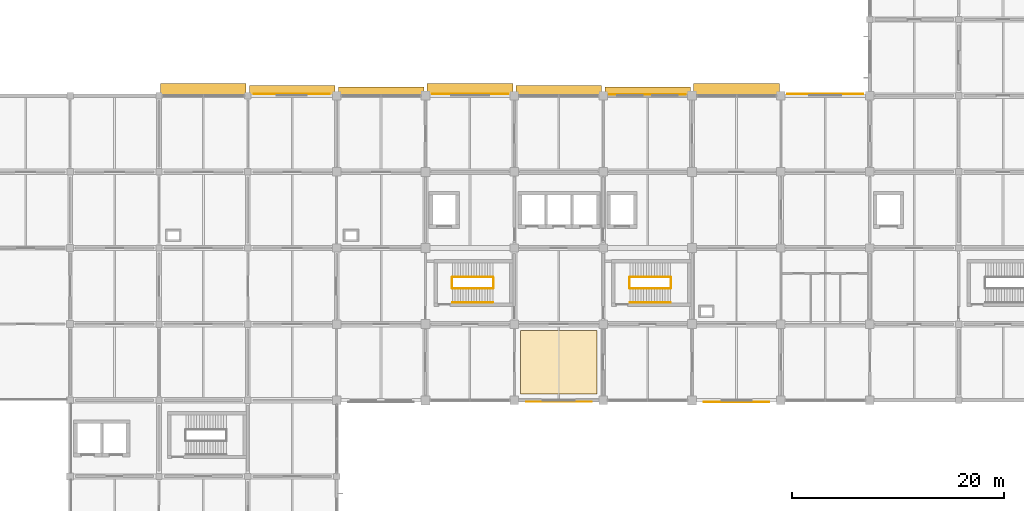
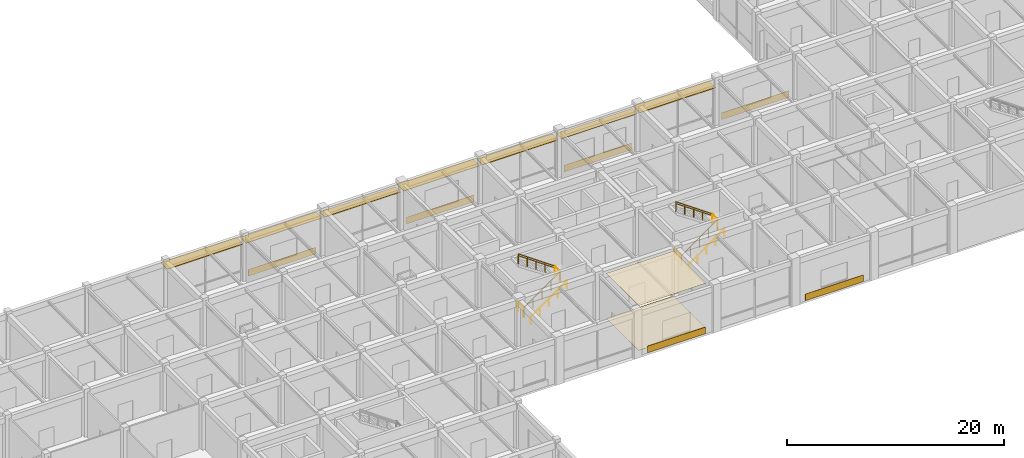
# One storey, part 36 of 38: 12 railings, 8 coverings, 7 shading devices.
"""IFC4 building model written with IfcOpenShell, lengths in metres."""

from ifc_helpers import new_model, si_unit, derived_unit, direction, frame, origin, origin_2d, place, context, subcontext, project, spatial, polyline, rectangle, circle, outline, extrude, material, layer, layer_set, type_object, element, save


model = new_model("IFC4")

# Units and contexts
model_context = context("Model", 3, precision=1e-05, world=origin(), true_north=direction((0.0, 1.0)))
body_context = subcontext(model_context, "Body", "Model", "MODEL_VIEW")
ifc_project = project(units=[si_unit("LENGTHUNIT", "METRE"), si_unit("AREAUNIT", "SQUARE_METRE"), si_unit("VOLUMEUNIT", "CUBIC_METRE"), si_unit("PLANEANGLEUNIT", "RADIAN"), si_unit("MASSUNIT", "GRAM", prefix="KILO"), derived_unit("THERMALTRANSMITTANCEUNIT", [(si_unit("MASSUNIT", "GRAM", prefix="KILO"), 1), (si_unit("TIMEUNIT", "SECOND"), -3), (si_unit("THERMODYNAMICTEMPERATUREUNIT", "KELVIN"), -1)])], contexts=[model_context])

# Site, building, storey
site_placement = place(None, origin())
site = spatial("IfcSite", under=ifc_project, at=site_placement, CompositionType="ELEMENT")
building_placement = place(site_placement, origin())
building = spatial("IfcBuilding", under=site, at=building_placement, Name="Veldstrom Oceanarium and Marine Research Institute", CompositionType="ELEMENT")
storey_placement = place(building_placement, frame((0.0, 0.0, 11.39990234375)))
storey = spatial("IfcBuildingStorey", under=building, at=storey_placement, Name="L02", CompositionType="ELEMENT", Elevation=11.39990234375)

# Coverings
ifc_material_1 = material(Name="Anodised Aluminium Spandrel Rainscreen Cladding", Category="aluminium")
ifc_layer_1 = layer(ifc_material_1, 0.75)
ifc_layer_set_1 = layer_set([ifc_layer_1], Name="ARC-COV-CD1")
covering_type_1 = type_object("IfcCoveringType", Name="ARC-COV-CD1", PredefinedType="CLADDING", material=ifc_layer_set_1)
for number, where, z_axis, x_axis, name in (
    (1, (62.949951171875, 72.16845703125, 0.045166015625), (0.0, 0.0, 1.0), (1.0, 0.0, 0.0), "Spandrel Rainscreen Cladding L02-074"),
    (2, (79.8125, 72.1484375, 0.045166015625), (0.0, 0.0, 1.0), (1.0, 0.0, 0.0), "Spandrel Rainscreen Cladding L02-076"),
    (3, (96.58740234375, 72.12109375, 0.045166015625), (0.0, 0.0, 1.0), (1.0, 0.0, 0.0), "Spandrel Rainscreen Cladding L02-078"),
    (4, (113.39990234375, 72.158447265625, 0.045166015625), (0.0, 0.0, 1.0), (1.0, 0.0, 0.0), "Spandrel Rainscreen Cladding L02-080"),
):
    element("IfcCovering", number, at=place(storey_placement, frame(where, z_axis=z_axis, x_axis=x_axis)), inside=storey, type_object=covering_type_1, Name=name, PredefinedType="CLADDING", context=body_context, shape_type="SweptSolid", body=[
        extrude(rectangle(XDim=7.199951171875, YDim=0.034912109375, at=origin_2d()), origin(), (0.0, 0.0, 1.0), 0.75),
    ])
ifc_material_2 = material(Name="Terracotta Spandrel Rainscreen Cladding", Category="masonry")
ifc_layer_2 = layer(ifc_material_2, 0.75)
ifc_layer_set_2 = layer_set([ifc_layer_2], Name="ARC-COV-CD2")
covering_type_2 = type_object("IfcCoveringType", Name="ARC-COV-CD2", PredefinedType="CLADDING", material=ifc_layer_set_2)
for number, where, z_axis, x_axis, name in (
    (5, (88.199951171875, 43.05908203125, 0.045166015625), (0.0, 0.0, 1.0), (1.0, 0.0, 0.0), "Spandrel Rainscreen Cladding L02-077"),
    (6, (105.012451171875, 43.029052734375, 0.045166015625), (0.0, 0.0, 1.0), (1.0, 0.0, 0.0), "Spandrel Rainscreen Cladding L02-079"),
):
    element("IfcCovering", number, at=place(storey_placement, frame(where, z_axis=z_axis, x_axis=x_axis)), inside=storey, type_object=covering_type_2, Name=name, PredefinedType="CLADDING", context=body_context, shape_type="SweptSolid", body=[
        extrude(rectangle(XDim=6.199951171875, YDim=0.0400390625, at=origin_2d()), origin(), (0.0, 0.0, 1.0), 0.75),
    ])
ifc_material_3 = material(Name="Mineral-Fibre Acoustic Ceiling Tile", Category="gypsum")
ifc_layer_3 = layer(ifc_material_3, 0.02490234375)
ifc_layer_set_3 = layer_set([ifc_layer_3], Name="ARC-COV-CL1")
covering_type_3 = type_object("IfcCoveringType", Name="ARC-COV-CL1", PredefinedType="CEILING", material=ifc_layer_set_3)
covering_1_placement = place(storey_placement, frame((0.0, 0.0, 5.0751953125)))
element("IfcCovering", 7, at=covering_1_placement, inside=storey, type_object=covering_type_3, Name="Suspended Acoustic Ceiling L02", PredefinedType="CEILING", context=body_context, shape_type="SweptSolid", body=[
    extrude(outline(polyline([(84.60009765625, 43.800048828125), (91.800048828125, 43.800048828125), (91.800048828125, 49.800048828125), (84.60009765625, 49.800048828125), (84.60009765625, 43.800048828125)])), origin(), (0.0, 0.0, 1.0), 0.02490234375),
])
ifc_material_4 = material(Name="Polished Terrazzo and Marine Epoxy Flooring", Category="concrete")
ifc_layer_4 = layer(ifc_material_4, 0.02001953125)
ifc_layer_set_4 = layer_set([ifc_layer_4], Name="ARC-COV-FL1")
covering_type_4 = type_object("IfcCoveringType", Name="ARC-COV-FL1", PredefinedType="FLOORING", material=ifc_layer_set_4)
covering_2_placement = place(storey_placement, origin())
element("IfcCovering", 8, at=covering_2_placement, inside=storey, type_object=covering_type_4, Name="Terrazzo and Marine Epoxy Floor Finish L02", PredefinedType="FLOORING", context=body_context, shape_type="SweptSolid", body=[
    extrude(outline(polyline([(84.60009765625, 43.800048828125), (91.800048828125, 43.800048828125), (91.800048828125, 49.800048828125), (84.60009765625, 49.800048828125), (84.60009765625, 43.800048828125)])), origin(), (0.0, 0.0, 1.0), 0.02001953125),
])

# Railings
ifc_material_5 = material(Name="Duplex Stainless Steel Balustrade", Category="steel")
ifc_layer_5 = layer(ifc_material_5, 0.06005859375)
ifc_layer_set_5 = layer_set([ifc_layer_5], Name="ARC-RLG-GR1")
railing_type_1 = type_object("IfcRailingType", Name="ARC-RLG-GR1", PredefinedType="GUARDRAIL", material=ifc_layer_set_5)
railing_1_placement = place(storey_placement, frame((78.10009765625, 53.800048828125, 0.0)))
element("IfcRailing", 9, at=railing_1_placement, inside=storey, type_object=railing_type_1, Name="Stair Well Landing Guard ST1 L02", PredefinedType="GUARDRAIL", context=body_context, shape_type="SweptSolid", body=[
    extrude(circle(Radius=0.02392578125, at=origin_2d()), frame((0.0, 0.0, 1.09619140625), z_axis=(0.0, 1.0, 0.0), x_axis=(-1.0, 0.0, 0.0)), (0.0, 0.0, 1.0), 1.0),
    extrude(circle(Radius=0.02099609375, at=origin_2d()), origin(), (0.0, 0.0, 1.0), 1.072021484375),
    extrude(circle(Radius=0.02099609375, at=origin_2d()), frame((0.0, 1.0, 0.0)), (0.0, 0.0, 1.0), 1.072021484375),
])
railing_2_placement = place(storey_placement, frame((78.139892578125, 53.760009765625, 0.0)))
element("IfcRailing", 10, at=railing_2_placement, inside=storey, type_object=railing_type_1, Name="Stair Flight Guardrail ST1-L02-1", PredefinedType="GUARDRAIL", context=body_context, shape_type="SweptSolid", body=[
    extrude(circle(Radius=0.02392578125, at=origin_2d()), frame((0.0, 0.0, 1.09619140625), z_axis=(0.81696208304, 0.0, 0.576691386164), x_axis=(0.0, 1.0, 0.0)), (0.0, 0.0, 1.0), 4.68212890625),
    extrude(circle(Radius=0.02099609375, at=origin_2d()), origin(), (0.0, 0.0, 1.0), 1.072021484375),
    extrude(circle(Radius=0.02099609375, at=origin_2d()), frame((0.956298828125, 0.0, 0.675048828125)), (0.0, 0.0, 1.0), 1.072021484375),
    extrude(circle(Radius=0.02099609375, at=origin_2d()), frame((1.91259765625, 0.0, 1.35009765625)), (0.0, 0.0, 1.0), 1.072021484375),
    extrude(circle(Radius=0.02099609375, at=origin_2d()), frame((2.868896484375, 0.0, 2.025146484375)), (0.0, 0.0, 1.0), 1.072021484375),
    extrude(circle(Radius=0.02099609375, at=origin_2d()), frame((3.8251953125, 0.0, 2.7001953125)), (0.0, 0.0, 1.0), 1.072021484375),
])
railing_3_placement = place(storey_placement, frame((82.0048828125, 53.800048828125, 2.7001953125)))
element("IfcRailing", 11, at=railing_3_placement, inside=storey, type_object=railing_type_1, Name="Stair Half-Landing Guardrail ST1-L02", PredefinedType="GUARDRAIL", context=body_context, shape_type="SweptSolid", body=[
    extrude(circle(Radius=0.02392578125, at=origin_2d()), frame((0.0, 0.0, 1.09619140625), z_axis=(0.0, 1.0, 0.0), x_axis=(-1.0, 0.0, 0.0)), (0.0, 0.0, 1.0), 1.0),
    extrude(circle(Radius=0.02099609375, at=origin_2d()), origin(), (0.0, 0.0, 1.0), 1.072021484375),
    extrude(circle(Radius=0.02099609375, at=origin_2d()), frame((0.0, 1.0, 0.0)), (0.0, 0.0, 1.0), 1.072021484375),
])
railing_4_placement = place(storey_placement, frame((81.965087890625, 54.840087890625, 2.7001953125)))
element("IfcRailing", 12, at=railing_4_placement, inside=storey, type_object=railing_type_1, Name="Stair Flight Guardrail ST1-L02-2", PredefinedType="GUARDRAIL", context=body_context, shape_type="SweptSolid", body=[
    extrude(circle(Radius=0.02392578125, at=origin_2d()), frame((0.0, 0.0, 1.09619140625), z_axis=(-0.816986648995, 0.0, 0.576656583561), x_axis=(0.0, -1.0, 0.0)), (0.0, 0.0, 1.0), 4.68212890625),
    extrude(circle(Radius=0.02099609375, at=origin_2d()), origin(), (0.0, 0.0, 1.0), 1.072021484375),
    extrude(circle(Radius=0.02099609375, at=origin_2d()), frame((-0.956298828125, 0.0, 0.675048828125)), (0.0, 0.0, 1.0), 1.072021484375),
    extrude(circle(Radius=0.02099609375, at=origin_2d()), frame((-1.91259765625, 0.0, 1.35009765625)), (0.0, 0.0, 1.0), 1.072021484375),
    extrude(circle(Radius=0.02099609375, at=origin_2d()), frame((-2.868896484375, 0.0, 2.02490234375)), (0.0, 0.0, 1.0), 1.072021484375),
    extrude(circle(Radius=0.02099609375, at=origin_2d()), frame((-3.8251953125, 0.0, 2.699951171875)), (0.0, 0.0, 1.0), 1.072021484375),
])
railing_5_placement = place(storey_placement, frame((94.89990234375, 53.800048828125, 0.0)))
element("IfcRailing", 13, at=railing_5_placement, inside=storey, type_object=railing_type_1, Name="Stair Well Landing Guard ST2 L02", PredefinedType="GUARDRAIL", context=body_context, shape_type="SweptSolid", body=[
    extrude(circle(Radius=0.02392578125, at=origin_2d()), frame((0.0, 0.0, 1.09619140625), z_axis=(0.0, 1.0, 0.0), x_axis=(-1.0, 0.0, 0.0)), (0.0, 0.0, 1.0), 1.0),
    extrude(circle(Radius=0.02099609375, at=origin_2d()), origin(), (0.0, 0.0, 1.0), 1.072021484375),
    extrude(circle(Radius=0.02099609375, at=origin_2d()), frame((0.0, 1.0, 0.0)), (0.0, 0.0, 1.0), 1.072021484375),
])
railing_6_placement = place(storey_placement, frame((94.93994140625, 53.760009765625, 0.0)))
element("IfcRailing", 14, at=railing_6_placement, inside=storey, type_object=railing_type_1, Name="Stair Flight Guardrail ST2-L02-1", PredefinedType="GUARDRAIL", context=body_context, shape_type="SweptSolid", body=[
    extrude(circle(Radius=0.02392578125, at=origin_2d()), frame((0.0, 0.0, 1.09619140625), z_axis=(0.816944740886, 0.0, 0.576715952908), x_axis=(0.0, 1.0, 0.0)), (0.0, 0.0, 1.0), 4.68212890625),
    extrude(circle(Radius=0.02099609375, at=origin_2d()), origin(), (0.0, 0.0, 1.0), 1.072021484375),
    extrude(circle(Radius=0.02099609375, at=origin_2d()), frame((0.956298828125, 0.0, 0.675048828125)), (0.0, 0.0, 1.0), 1.072021484375),
    extrude(circle(Radius=0.02099609375, at=origin_2d()), frame((1.91259765625, 0.0, 1.35009765625)), (0.0, 0.0, 1.0), 1.072021484375),
    extrude(circle(Radius=0.02099609375, at=origin_2d()), frame((2.86865234375, 0.0, 2.025146484375)), (0.0, 0.0, 1.0), 1.072021484375),
    extrude(circle(Radius=0.02099609375, at=origin_2d()), frame((3.824951171875, 0.0, 2.7001953125)), (0.0, 0.0, 1.0), 1.072021484375),
])
railing_7_placement = place(storey_placement, frame((98.804931640625, 53.800048828125, 2.7001953125)))
element("IfcRailing", 15, at=railing_7_placement, inside=storey, type_object=railing_type_1, Name="Stair Half-Landing Guardrail ST2-L02", PredefinedType="GUARDRAIL", context=body_context, shape_type="SweptSolid", body=[
    extrude(circle(Radius=0.02392578125, at=origin_2d()), frame((0.0, 0.0, 1.09619140625), z_axis=(0.0, 1.0, 0.0), x_axis=(-1.0, 0.0, 0.0)), (0.0, 0.0, 1.0), 1.0),
    extrude(circle(Radius=0.02099609375, at=origin_2d()), origin(), (0.0, 0.0, 1.0), 1.072021484375),
    extrude(circle(Radius=0.02099609375, at=origin_2d()), frame((0.0, 1.0, 0.0)), (0.0, 0.0, 1.0), 1.072021484375),
])
railing_8_placement = place(storey_placement, frame((98.764892578125, 54.840087890625, 2.7001953125)))
element("IfcRailing", 16, at=railing_8_placement, inside=storey, type_object=railing_type_1, Name="Stair Flight Guardrail ST2-L02-2", PredefinedType="GUARDRAIL", context=body_context, shape_type="SweptSolid", body=[
    extrude(circle(Radius=0.02392578125, at=origin_2d()), frame((0.0, 0.0, 1.09619140625), z_axis=(-0.816969308413, 0.0, 0.5766811503), x_axis=(0.0, -1.0, 0.0)), (0.0, 0.0, 1.0), 4.681884765625),
    extrude(circle(Radius=0.02099609375, at=origin_2d()), origin(), (0.0, 0.0, 1.0), 1.072021484375),
    extrude(circle(Radius=0.02099609375, at=origin_2d()), frame((-0.956298828125, 0.0, 0.675048828125)), (0.0, 0.0, 1.0), 1.072021484375),
    extrude(circle(Radius=0.02099609375, at=origin_2d()), frame((-1.91259765625, 0.0, 1.35009765625)), (0.0, 0.0, 1.0), 1.072021484375),
    extrude(circle(Radius=0.02099609375, at=origin_2d()), frame((-2.86865234375, 0.0, 2.02490234375)), (0.0, 0.0, 1.0), 1.072021484375),
    extrude(circle(Radius=0.02099609375, at=origin_2d()), frame((-3.824951171875, 0.0, 2.699951171875)), (0.0, 0.0, 1.0), 1.072021484375),
])
ifc_material_6 = material(Name="Brushed Stainless Steel Handrail", Category="steel")
ifc_layer_6 = layer(ifc_material_6, 0.050048828125)
ifc_layer_set_6 = layer_set([ifc_layer_6], Name="ARC-RLG-HR1")
railing_type_2 = type_object("IfcRailingType", Name="ARC-RLG-HR1", PredefinedType="HANDRAIL", material=ifc_layer_set_6)
railing_9_placement = place(storey_placement, frame((78.139892578125, 52.4599609375, 0.0)))
element("IfcRailing", 17, at=railing_9_placement, inside=storey, type_object=railing_type_2, Name="Stair Wall Handrail ST1-L02-1", PredefinedType="HANDRAIL", context=body_context, shape_type="SweptSolid", body=[
    extrude(circle(Radius=0.02392578125, at=origin_2d()), frame((0.0, 0.0, 0.8759765625), z_axis=(0.81696208304, 0.0, 0.576691386164), x_axis=(0.0, 1.0, 0.0)), (0.0, 0.0, 1.0), 4.68212890625),
    extrude(circle(Radius=0.02099609375, at=origin_2d()), origin(), (0.0, 0.0, 1.0), 0.851806640625),
    extrude(circle(Radius=0.02099609375, at=origin_2d()), frame((0.956298828125, 0.0, 0.675048828125)), (0.0, 0.0, 1.0), 0.851806640625),
    extrude(circle(Radius=0.02099609375, at=origin_2d()), frame((1.91259765625, 0.0, 1.35009765625)), (0.0, 0.0, 1.0), 0.851806640625),
    extrude(circle(Radius=0.02099609375, at=origin_2d()), frame((2.868896484375, 0.0, 2.025146484375)), (0.0, 0.0, 1.0), 0.851806640625),
    extrude(circle(Radius=0.02099609375, at=origin_2d()), frame((3.8251953125, 0.0, 2.7001953125)), (0.0, 0.0, 1.0), 0.851806640625),
])
railing_10_placement = place(storey_placement, frame((81.965087890625, 54.860107421875, 2.7001953125)))
element("IfcRailing", 18, at=railing_10_placement, inside=storey, type_object=railing_type_2, Name="Stair Wall Handrail ST1-L02-2", PredefinedType="HANDRAIL", context=body_context, shape_type="SweptSolid", body=[
    extrude(circle(Radius=0.02392578125, at=origin_2d()), frame((0.0, 0.0, 0.8759765625), z_axis=(-0.816986648995, 0.0, 0.576656583561), x_axis=(0.0, -1.0, 0.0)), (0.0, 0.0, 1.0), 4.68212890625),
    extrude(circle(Radius=0.02099609375, at=origin_2d()), origin(), (0.0, 0.0, 1.0), 0.851806640625),
    extrude(circle(Radius=0.02099609375, at=origin_2d()), frame((-0.956298828125, 0.0, 0.675048828125)), (0.0, 0.0, 1.0), 0.851806640625),
    extrude(circle(Radius=0.02099609375, at=origin_2d()), frame((-1.91259765625, 0.0, 1.35009765625)), (0.0, 0.0, 1.0), 0.851806640625),
    extrude(circle(Radius=0.02099609375, at=origin_2d()), frame((-2.868896484375, 0.0, 2.02490234375)), (0.0, 0.0, 1.0), 0.851806640625),
    extrude(circle(Radius=0.02099609375, at=origin_2d()), frame((-3.8251953125, 0.0, 2.699951171875)), (0.0, 0.0, 1.0), 0.851806640625),
])
railing_11_placement = place(storey_placement, frame((94.93994140625, 52.4599609375, 0.0)))
element("IfcRailing", 19, at=railing_11_placement, inside=storey, type_object=railing_type_2, Name="Stair Wall Handrail ST2-L02-1", PredefinedType="HANDRAIL", context=body_context, shape_type="SweptSolid", body=[
    extrude(circle(Radius=0.02392578125, at=origin_2d()), frame((0.0, 0.0, 0.8759765625), z_axis=(0.816944740886, 0.0, 0.576715952908), x_axis=(0.0, 1.0, 0.0)), (0.0, 0.0, 1.0), 4.68212890625),
    extrude(circle(Radius=0.02099609375, at=origin_2d()), origin(), (0.0, 0.0, 1.0), 0.851806640625),
    extrude(circle(Radius=0.02099609375, at=origin_2d()), frame((0.956298828125, 0.0, 0.675048828125)), (0.0, 0.0, 1.0), 0.851806640625),
    extrude(circle(Radius=0.02099609375, at=origin_2d()), frame((1.91259765625, 0.0, 1.35009765625)), (0.0, 0.0, 1.0), 0.851806640625),
    extrude(circle(Radius=0.02099609375, at=origin_2d()), frame((2.86865234375, 0.0, 2.025146484375)), (0.0, 0.0, 1.0), 0.851806640625),
    extrude(circle(Radius=0.02099609375, at=origin_2d()), frame((3.824951171875, 0.0, 2.7001953125)), (0.0, 0.0, 1.0), 0.851806640625),
])
railing_12_placement = place(storey_placement, frame((98.764892578125, 54.860107421875, 2.7001953125)))
element("IfcRailing", 20, at=railing_12_placement, inside=storey, type_object=railing_type_2, Name="Stair Wall Handrail ST2-L02-2", PredefinedType="HANDRAIL", context=body_context, shape_type="SweptSolid", body=[
    extrude(circle(Radius=0.02392578125, at=origin_2d()), frame((0.0, 0.0, 0.8759765625), z_axis=(-0.816969308413, 0.0, 0.5766811503), x_axis=(0.0, -1.0, 0.0)), (0.0, 0.0, 1.0), 4.681884765625),
    extrude(circle(Radius=0.02099609375, at=origin_2d()), origin(), (0.0, 0.0, 1.0), 0.851806640625),
    extrude(circle(Radius=0.02099609375, at=origin_2d()), frame((-0.956298828125, 0.0, 0.675048828125)), (0.0, 0.0, 1.0), 0.851806640625),
    extrude(circle(Radius=0.02099609375, at=origin_2d()), frame((-1.91259765625, 0.0, 1.35009765625)), (0.0, 0.0, 1.0), 0.851806640625),
    extrude(circle(Radius=0.02099609375, at=origin_2d()), frame((-2.86865234375, 0.0, 2.02490234375)), (0.0, 0.0, 1.0), 0.851806640625),
    extrude(circle(Radius=0.02099609375, at=origin_2d()), frame((-3.824951171875, 0.0, 2.699951171875)), (0.0, 0.0, 1.0), 0.851806640625),
])

# Shading devices
ifc_material_7 = material(Name="Perforated Anodised Aluminium Louvre", Category="aluminium")
ifc_layer_7 = layer(ifc_material_7, 0.054931640625)
ifc_layer_set_7 = layer_set([ifc_layer_7], Name="ARC-SHD-SH01")
shading_device_type_1 = type_object("IfcShadingDeviceType", Name="ARC-SHD-SH01", PredefinedType="AWNING", material=ifc_layer_set_7)
for number, where, z_axis, x_axis, name in (
    (21, (54.60009765625, 72.5048828125, 4.05029296875), (0.0, 0.0, 1.0), (1.0, 0.0, 0.0), "North Solar Canopy Louvre L02-7"),
    (22, (79.800048828125, 72.5048828125, 4.05029296875), (0.0, 0.0, 1.0), (1.0, 0.0, 0.0), "North Solar Canopy Louvre L02-10"),
    (23, (105.0, 72.5048828125, 4.05029296875), (0.0, 0.0, 1.0), (1.0, 0.0, 0.0), "North Solar Canopy Louvre L02-13"),
):
    element("IfcShadingDevice", number, at=place(storey_placement, frame(where, z_axis=z_axis, x_axis=x_axis)), inside=storey, type_object=shading_device_type_1, Name=name, PredefinedType="AWNING", context=body_context, shape_type="SweptSolid", body=[
        extrude(rectangle(XDim=8.10009765625, YDim=1.25, at=origin_2d()), origin(), (0.0, 0.0, 1.0), 0.054931640625),
    ])
ifc_material_8 = material(Name="Perforated Anodised Aluminium Louvre", Category="aluminium")
ifc_layer_8 = layer(ifc_material_8, 0.050048828125)
ifc_layer_set_8 = layer_set([ifc_layer_8], Name="ARC-SHD-SH02")
shading_device_type_2 = type_object("IfcShadingDeviceType", Name="ARC-SHD-SH02", PredefinedType="AWNING", material=ifc_layer_set_8)
for number, where, z_axis, x_axis, name in (
    (24, (63.0, 72.429931640625, 4.05029296875), (0.0, 0.0, 1.0), (1.0, 0.0, 0.0), "North Solar Canopy Louvre L02-8"),
    (25, (88.199951171875, 72.429931640625, 4.05029296875), (0.0, 0.0, 1.0), (1.0, 0.0, 0.0), "North Solar Canopy Louvre L02-11"),
):
    element("IfcShadingDevice", number, at=place(storey_placement, frame(where, z_axis=z_axis, x_axis=x_axis)), inside=storey, type_object=shading_device_type_2, Name=name, PredefinedType="AWNING", context=body_context, shape_type="SweptSolid", body=[
        extrude(rectangle(XDim=8.10009765625, YDim=1.10009765625, at=origin_2d()), origin(), (0.0, 0.0, 1.0), 0.050048828125),
    ])
ifc_material_9 = material(Name="Perforated Anodised Aluminium Louvre", Category="aluminium")
ifc_layer_9 = layer(ifc_material_9, 0.044921875)
ifc_layer_set_9 = layer_set([ifc_layer_9], Name="ARC-SHD-SH03")
shading_device_type_3 = type_object("IfcShadingDeviceType", Name="ARC-SHD-SH03", PredefinedType="AWNING", material=ifc_layer_set_9)
for number, where, z_axis, x_axis, name in (
    (26, (71.39990234375, 72.35498046875, 4.050048828125), (0.0, 0.0, 1.0), (1.0, 0.0, 0.0), "North Solar Canopy Louvre L02-9"),
    (27, (96.60009765625, 72.35498046875, 4.050048828125), (0.0, 0.0, 1.0), (1.0, 0.0, 0.0), "North Solar Canopy Louvre L02-12"),
):
    element("IfcShadingDevice", number, at=place(storey_placement, frame(where, z_axis=z_axis, x_axis=x_axis)), inside=storey, type_object=shading_device_type_3, Name=name, PredefinedType="AWNING", context=body_context, shape_type="SweptSolid", body=[
        extrude(rectangle(XDim=8.10009765625, YDim=0.949951171875, at=origin_2d()), origin(), (0.0, 0.0, 1.0), 0.044921875),
    ])

save(model, "model.ifc")
